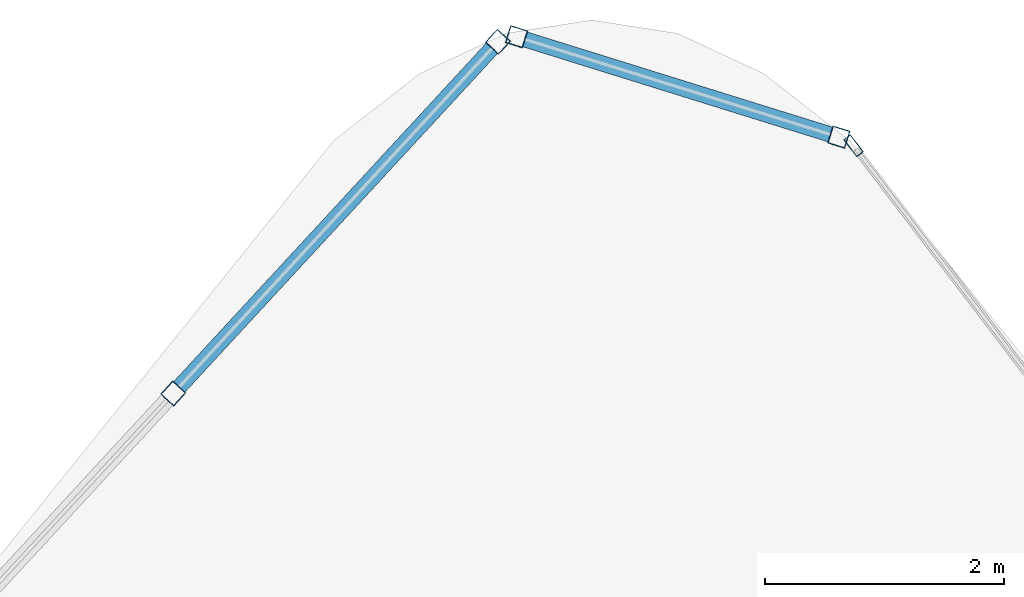
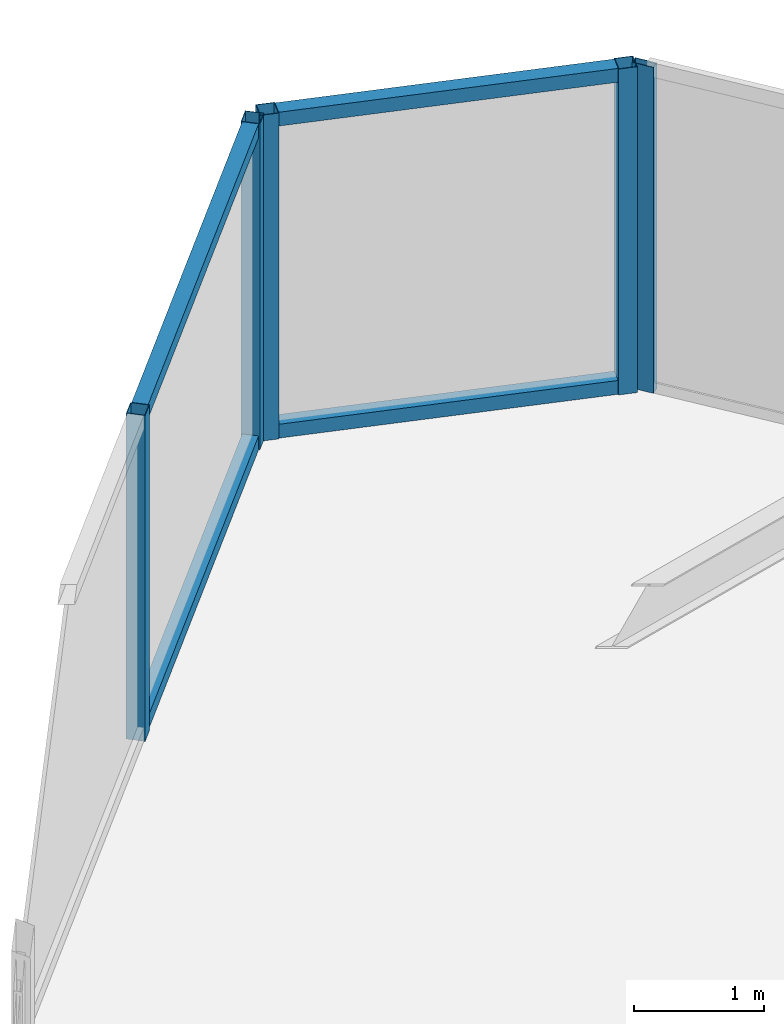
# One storey, part 25 of 35: 9 members, 3 elements without a shape of their own.
"""IFC4 building model written with IfcOpenShell, lengths in metres."""

from ifc_helpers import new_model, si_unit, direction, frame, origin, origin_2d, place, context, subcontext, project, spatial, hollow_rectangle, extrude, material, layer, layer_set, material_profile, profile_set, type_object, element, aggregate, save


model = new_model("IFC4")

# Units and contexts
model_context = context("Model", 3, precision=1e-05, world=origin(), true_north=direction((0.0, 1.0)))
body_context = subcontext(model_context, "Body", "Model", "MODEL_VIEW")
ifc_project = project(units=[si_unit("LENGTHUNIT", "METRE"), si_unit("AREAUNIT", "SQUARE_METRE"), si_unit("VOLUMEUNIT", "CUBIC_METRE"), si_unit("PLANEANGLEUNIT", "RADIAN"), si_unit("MASSUNIT", "GRAM", prefix="KILO")], contexts=[model_context])

# Site, building, storey
site_placement = place(None, origin())
site = spatial("IfcSite", under=ifc_project, at=site_placement, CompositionType="ELEMENT")
building_placement = place(site_placement, origin())
building = spatial("IfcBuilding", under=site, at=building_placement, Name="Orvanel Arch Residences", CompositionType="ELEMENT")
storey_placement = place(building_placement, frame((0.0, 0.0, 30.199951171875)))
storey = spatial("IfcBuildingStorey", under=building, at=storey_placement, Name="L07", CompositionType="ELEMENT", Elevation=30.199951171875)

# Curtain wall, members
ifc_material = material(Name="Bronze-anodised aluminium AA6063-T6", Category="aluminium")
ifc_layer_1 = layer(ifc_material, 0.18994140625)
ifc_layer_set_1 = layer_set([ifc_layer_1], Name="Bronze-anodised aluminium AA6063-T6")
curtain_wall_type_1 = type_object("IfcCurtainWallType", Name="CW5-CRN-SYS", PredefinedType="NOTDEFINED", material=ifc_layer_set_1)
curtain_wall_1_placement = place(storey_placement, origin())
curtain_wall_1 = element("IfcCurtainWall", 1, at=curtain_wall_1_placement, inside=storey, type_object=curtain_wall_type_1, Name="L07 CW5-CRN-SYS Unitised Curtain Wall", PredefinedType="NOTDEFINED")
ifc_material_profile_1 = material_profile(ifc_material, hollow_rectangle(XDim=0.14990234375, YDim=0.14990234375, WallThickness=0.0048828125, at=origin_2d()), Name="ALU150x150x5")
ifc_profile_set_1 = profile_set([ifc_material_profile_1], Name="Bronze-anodised aluminium AA6063-T6")
member_type_1 = type_object("IfcMemberType", Name="MUL-150x150", PredefinedType="MULLION", material=ifc_profile_set_1)
member_1_placement = place(storey_placement, frame((35.0693359375, 51.7763671875, 0.0), z_axis=(0.0, 0.0, 1.0), x_axis=(-0.297318393597, -0.954778389381, 0.0)))
member_1 = element("IfcMember", 2, at=member_1_placement, type_object=member_type_1, Name="CW-S5 mullion 1", PredefinedType="MULLION", context=body_context, shape_type="SweptSolid", body=[
    extrude(hollow_rectangle(XDim=0.14990234375, YDim=0.14990234375, WallThickness=0.0048828125, at=origin_2d()), origin(), (0.0, 0.0, 1.0), 3.06005859375),
])
member_2_placement = place(storey_placement, frame((32.37060546875, 52.61669921875, 0.0), z_axis=(0.0, 0.0, 1.0), x_axis=(-0.297318393597, -0.954778389381, 0.0)))
member_2 = element("IfcMember", 3, at=member_2_placement, type_object=member_type_1, Name="CW-S5 mullion 2", PredefinedType="MULLION", context=body_context, shape_type="SweptSolid", body=[
    extrude(hollow_rectangle(XDim=0.14990234375, YDim=0.14990234375, WallThickness=0.0048828125, at=origin_2d()), origin(), (0.0, 0.0, 1.0), 3.06005859375),
])

curtain_wall_2_placement = place(storey_placement, origin())
curtain_wall_2 = element("IfcCurtainWall", 4, at=curtain_wall_2_placement, inside=storey, type_object=curtain_wall_type_1, Name="L07 CW5-CRN-SYS Unitised Curtain Wall", PredefinedType="NOTDEFINED")
member_3_placement = place(storey_placement, frame((32.215087890625, 52.574951171875, 0.0), z_axis=(0.0, 0.0, 1.0), x_axis=(0.734704866707, -0.678386879912, 0.0)))
member_3 = element("IfcMember", 5, at=member_3_placement, type_object=member_type_1, Name="CW-S5 mullion 1", PredefinedType="MULLION", context=body_context, shape_type="SweptSolid", body=[
    extrude(hollow_rectangle(XDim=0.14990234375, YDim=0.14990234375, WallThickness=0.0048828125, at=origin_2d()), origin(), (0.0, 0.0, 1.0), 3.06005859375),
])
member_4_placement = place(storey_placement, frame((29.49560546875, 49.62939453125, 0.0), z_axis=(0.0, 0.0, 1.0), x_axis=(0.734704866707, -0.678386879912, 0.0)))
member_4 = element("IfcMember", 6, at=member_4_placement, type_object=member_type_1, Name="CW-S5 mullion 2", PredefinedType="MULLION", context=body_context, shape_type="SweptSolid", body=[
    extrude(hollow_rectangle(XDim=0.14990234375, YDim=0.14990234375, WallThickness=0.0048828125, at=origin_2d()), origin(), (0.0, 0.0, 1.0), 3.06005859375),
])

# Curtain wall, member
ifc_layer_2 = layer(ifc_material, 0.179931640625)
ifc_layer_set_2 = layer_set([ifc_layer_2], Name="Bronze-anodised aluminium AA6063-T6")
curtain_wall_type_2 = type_object("IfcCurtainWallType", Name="CW2-LOW-SYS", PredefinedType="NOTDEFINED", material=ifc_layer_set_2)
curtain_wall_3_placement = place(storey_placement, origin())
curtain_wall_3 = element("IfcCurtainWall", 7, at=curtain_wall_3_placement, inside=storey, type_object=curtain_wall_type_2, Name="L07 CW2-LOW-SYS Unitised Curtain Wall", PredefinedType="NOTDEFINED")
ifc_material_profile_2 = material_profile(ifc_material, hollow_rectangle(XDim=0.070068359375, YDim=0.179931640625, WallThickness=0.00439453125, at=origin_2d()), Name="ALU180x70x4.5")
ifc_profile_set_2 = profile_set([ifc_material_profile_2], Name="Bronze-anodised aluminium AA6063-T6")
member_type_2 = type_object("IfcMemberType", Name="MUL-180x70", PredefinedType="MULLION", material=ifc_profile_set_2)
member_5_placement = place(storey_placement, frame((35.193115234375, 51.7041015625, 0.0), z_axis=(0.0, 0.0, 1.0), x_axis=(-0.795608016507, -0.605811756299, 0.0)))
member_5 = element("IfcMember", 8, at=member_5_placement, type_object=member_type_2, Name="CW-S2 mullion 4", PredefinedType="MULLION", context=body_context, shape_type="SweptSolid", body=[
    extrude(hollow_rectangle(XDim=0.070068359375, YDim=0.179931640625, WallThickness=0.00439453125, at=origin_2d()), origin(), (0.0, 0.0, 1.0), 3.06005859375),
])
aggregate(curtain_wall_3, [member_5])

# Member
ifc_material_profile_3 = material_profile(ifc_material, hollow_rectangle(XDim=0.1298828125, YDim=0.1298828125, WallThickness=0.00439453125, at=origin_2d()), Name="ALU130x130x4.5")
ifc_profile_set_3 = profile_set([ifc_material_profile_3], Name="Bronze-anodised aluminium AA6063-T6")
member_type_3 = type_object("IfcMemberType", Name="TRN-130x130", PredefinedType="USERDEFINED", material=ifc_profile_set_3)
member_6_placement = place(storey_placement, frame((34.997802734375, 51.798583984375, 0.06494140625), z_axis=(-0.954771647461, 0.297340043057, 0.0), x_axis=(-0.297340043057, -0.954771647461, 0.0)))
member_6 = element("IfcMember", 9, at=member_6_placement, type_object=member_type_3, Name="CW-S5 transom 1.1", ObjectType="TRANSOM", PredefinedType="USERDEFINED", context=body_context, shape_type="SweptSolid", body=[
    extrude(hollow_rectangle(XDim=0.1298828125, YDim=0.1298828125, WallThickness=0.00439453125, at=origin_2d()), origin(), (0.0, 0.0, 1.0), 2.6767578125),
])

member_7_placement = place(storey_placement, frame((34.997802734375, 51.798583984375, 2.9951171875), z_axis=(-0.954771647461, 0.297340043057, 0.0), x_axis=(-0.297340043057, -0.954771647461, 0.0)))
member_7 = element("IfcMember", 10, at=member_7_placement, type_object=member_type_3, Name="CW-S5 transom 1.2", ObjectType="TRANSOM", PredefinedType="USERDEFINED", context=body_context, shape_type="SweptSolid", body=[
    extrude(hollow_rectangle(XDim=0.1298828125, YDim=0.1298828125, WallThickness=0.00439453125, at=origin_2d()), origin(), (0.0, 0.0, 1.0), 2.6767578125),
])

aggregate(curtain_wall_1, [member_1, member_2, member_6, member_7])

member_8_placement = place(storey_placement, frame((32.164306640625, 52.519775390625, 0.06494140625), z_axis=(-0.678393082781, -0.734699139264, 0.0), x_axis=(0.734699139264, -0.678393082781, 0.0)))
member_8 = element("IfcMember", 11, at=member_8_placement, type_object=member_type_3, Name="CW-S5 transom 1.1", ObjectType="TRANSOM", PredefinedType="USERDEFINED", context=body_context, shape_type="SweptSolid", body=[
    extrude(hollow_rectangle(XDim=0.1298828125, YDim=0.1298828125, WallThickness=0.00439453125, at=origin_2d()), origin(), (0.0, 0.0, 1.0), 3.85888671875),
])

member_9_placement = place(storey_placement, frame((32.164306640625, 52.519775390625, 2.9951171875), z_axis=(-0.678393082781, -0.734699139264, 0.0), x_axis=(0.734699139264, -0.678393082781, 0.0)))
member_9 = element("IfcMember", 12, at=member_9_placement, type_object=member_type_3, Name="CW-S5 transom 1.2", ObjectType="TRANSOM", PredefinedType="USERDEFINED", context=body_context, shape_type="SweptSolid", body=[
    extrude(hollow_rectangle(XDim=0.1298828125, YDim=0.1298828125, WallThickness=0.00439453125, at=origin_2d()), origin(), (0.0, 0.0, 1.0), 3.85888671875),
])

aggregate(curtain_wall_2, [member_3, member_4, member_8, member_9])

save(model, "model.ifc")
